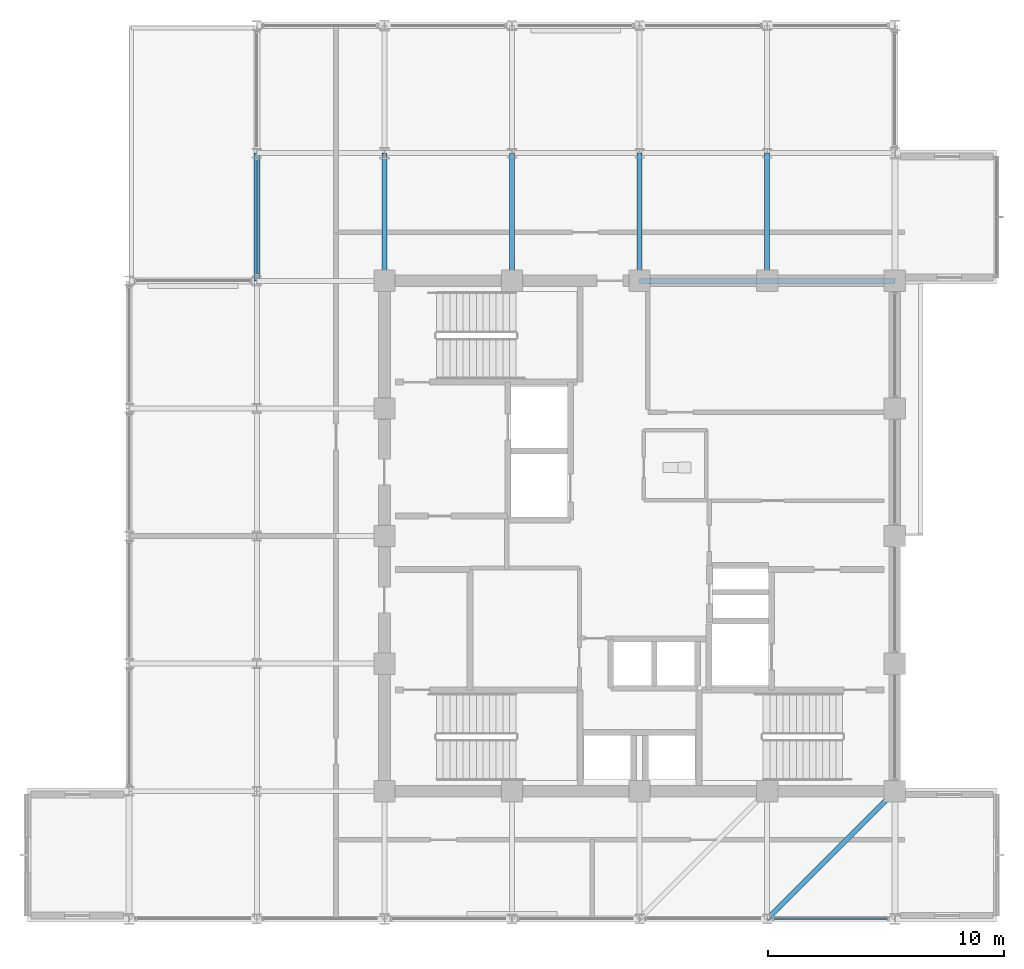
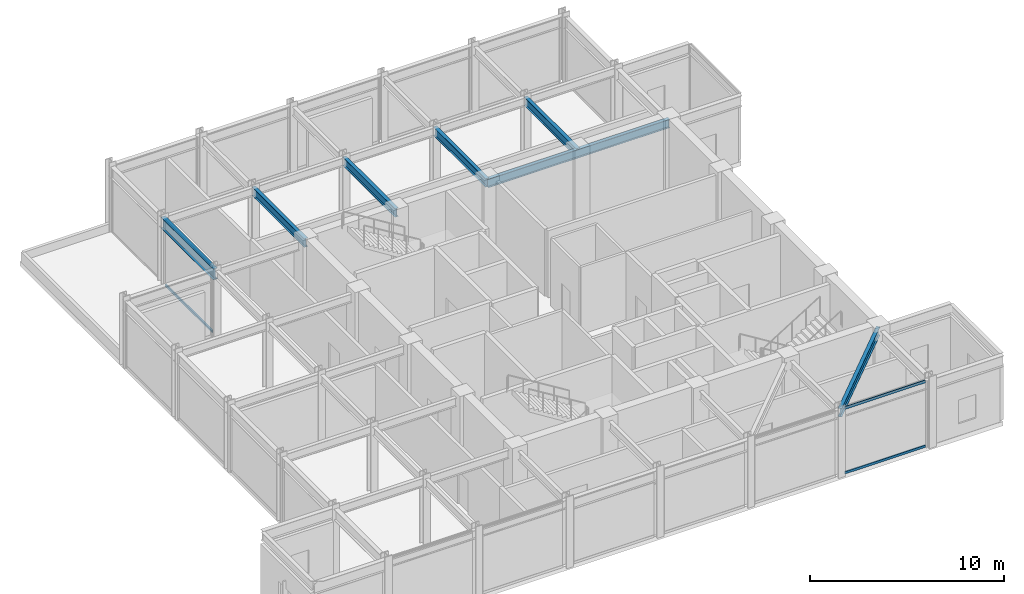
# One storey, part 7 of 22: 7 beams, 4 members, 2 elements without a shape of their own.
"""IFC4 building model written with IfcOpenShell, lengths in metres."""

from ifc_helpers import new_model, si_unit, direction, frame, origin, origin_2d, place, context, subcontext, project, spatial, hollow_rectangle, i_section, extrude, material, layer, layer_set, material_profile, profile_set, type_object, element, aggregate, save


model = new_model("IFC4")

# Units and contexts
model_context = context("Model", 3, precision=1e-05, world=origin(), true_north=direction((0.0, 1.0)))
body_context = subcontext(model_context, "Body", "Model", "MODEL_VIEW")
ifc_project = project(units=[si_unit("LENGTHUNIT", "METRE"), si_unit("AREAUNIT", "SQUARE_METRE"), si_unit("VOLUMEUNIT", "CUBIC_METRE"), si_unit("PLANEANGLEUNIT", "RADIAN"), si_unit("MASSUNIT", "GRAM", prefix="KILO")], contexts=[model_context])

# Site, building, storey
site_placement = place(None, origin())
site = spatial("IfcSite", under=ifc_project, at=site_placement, CompositionType="ELEMENT")
building_placement = place(site_placement, origin())
building = spatial("IfcBuilding", under=site, at=building_placement, Name="Surkhivell Harbour Commons", CompositionType="ELEMENT")
storey_placement = place(building_placement, frame((0.0, 0.0, 342.0)))
storey = spatial("IfcBuildingStorey", under=building, at=storey_placement, Name="L89", CompositionType="ELEMENT", Elevation=342.0)

# Beams
ifc_material_1 = material(Name="Steel S355", Category="steel")
ifc_material_profile_1 = material_profile(ifc_material_1, i_section(OverallWidth=0.2099609375, OverallDepth=0.537109375, WebThickness=0.0107421875, FlangeThickness=0.017333984375, at=origin_2d()), Name="UB533x210x101")
ifc_profile_set_1 = profile_set([ifc_material_profile_1], Name="Steel S355")
beam_type_1 = type_object("IfcBeamType", Name="BM-GRD-533B", PredefinedType="BEAM", material=ifc_profile_set_1)
beam_1_placement = place(storey_placement, frame((0.0, 10.800048828125, 3.951416015625), z_axis=(1.0, 0.0, 0.0), x_axis=(0.0, 1.0, 0.0)))
element("IfcBeam", 1, at=beam_1_placement, inside=storey, type_object=beam_type_1, Name="L89 Cantilever Back-Span Girder (0.0,10.8)", PredefinedType="BEAM", context=body_context, shape_type="SweptSolid", body=[
    extrude(i_section(OverallWidth=0.2099609375, OverallDepth=0.537109375, WebThickness=0.0107421875, FlangeThickness=0.017333984375, at=origin_2d()), origin(), (0.0, 0.0, 1.0), 10.800048828125),
])
for number, where, z_axis, x_axis, name in (
    (2, (-10.800048828125, 10.800048828125, 3.951416015625), (0.0, 1.0, 0.0), (-1.0, 0.0, 0.0), "L89 Floor Girder (-10.8,10.8)"),
    (3, (-5.39990234375, 10.800048828125, 3.951416015625), (0.0, 1.0, 0.0), (-1.0, 0.0, 0.0), "L89 Floor Girder (-5.4,10.8)"),
    (4, (0.0, 10.800048828125, 3.951416015625), (0.0, 1.0, 0.0), (-1.0, 0.0, 0.0), "L89 Floor Girder (0.0,10.8)"),
):
    element("IfcBeam", number, at=place(storey_placement, frame(where, z_axis=z_axis, x_axis=x_axis)), inside=storey, type_object=beam_type_1, Name=name, PredefinedType="BEAM", context=body_context, shape_type="SweptSolid", body=[
        extrude(i_section(OverallWidth=0.2099609375, OverallDepth=0.537109375, WebThickness=0.0107421875, FlangeThickness=0.017333984375, at=origin_2d()), origin(), (0.0, 0.0, 1.0), 5.39990234375),
    ])
beam_2_placement = place(storey_placement, frame((5.39990234375, -16.199951171875, 3.951416015625), z_axis=(0.707122765516, 0.707090796496, 0.0), x_axis=(-0.707090796496, 0.707122765516, 0.0)))
element("IfcBeam", 5, at=beam_2_placement, inside=storey, type_object=beam_type_1, Name="L89 Floor Girder (5.4,-16.2)", PredefinedType="BEAM", context=body_context, shape_type="SweptSolid", body=[
    extrude(i_section(OverallWidth=0.2099609375, OverallDepth=0.537109375, WebThickness=0.0107421875, FlangeThickness=0.017333984375, at=origin_2d()), origin(), (0.0, 0.0, 1.0), 7.63671875),
])
beam_3_placement = place(storey_placement, frame((5.39990234375, 10.800048828125, 3.951416015625), z_axis=(0.0, 1.0, 0.0), x_axis=(-1.0, 0.0, 0.0)))
element("IfcBeam", 6, at=beam_3_placement, inside=storey, type_object=beam_type_1, Name="L89 Floor Girder (5.4,10.8)", PredefinedType="BEAM", context=body_context, shape_type="SweptSolid", body=[
    extrude(i_section(OverallWidth=0.2099609375, OverallDepth=0.537109375, WebThickness=0.0107421875, FlangeThickness=0.017333984375, at=origin_2d()), origin(), (0.0, 0.0, 1.0), 5.39990234375),
])
ifc_material_profile_2 = material_profile(ifc_material_1, i_section(OverallWidth=0.256103515625, OverallDepth=0.693115234375, WebThickness=0.014404296875, FlangeThickness=0.023681640625, at=origin_2d()), Name="UB686x254x170")
ifc_profile_set_2 = profile_set([ifc_material_profile_2], Name="Steel S355")
beam_type_2 = type_object("IfcBeamType", Name="BM-SPN-686", PredefinedType="SPANDREL", material=ifc_profile_set_2)
beam_4_placement = place(storey_placement, frame((-16.199951171875, 10.800048828125, 3.87353515625), z_axis=(0.0, 1.0, 0.0), x_axis=(-1.0, 0.0, 0.0)))
element("IfcBeam", 7, at=beam_4_placement, inside=storey, type_object=beam_type_2, Name="L89 Tube Spandrel (-16.2,10.8)", PredefinedType="SPANDREL", context=body_context, shape_type="SweptSolid", body=[
    extrude(i_section(OverallWidth=0.256103515625, OverallDepth=0.693115234375, WebThickness=0.014404296875, FlangeThickness=0.023681640625, at=origin_2d()), origin(), (0.0, 0.0, 1.0), 5.39990234375),
])

# Curtain wall, members
ifc_material_2 = material(Name="Anodised pale-metal aluminium and insulated glazing", Category="aluminium")
ifc_layer = layer(ifc_material_2, 0.22998046875)
ifc_layer_set = layer_set([ifc_layer], Name="Anodised pale-metal aluminium and insulated glazing")
curtain_wall_type = type_object("IfcCurtainWallType", Name="CW-SYS-CRN", PredefinedType="NOTDEFINED", material=ifc_layer_set)
curtain_wall_1_placement = place(storey_placement, origin())
curtain_wall_1 = element("IfcCurtainWall", 8, at=curtain_wall_1_placement, inside=storey, type_object=curtain_wall_type, Name="L89 Curtain Wall CW-L89-C00S1", PredefinedType="NOTDEFINED")
ifc_material_3 = material(Name="Anodised pale-metal aluminium alloy 6063-T6", Category="aluminium")
ifc_material_profile_3 = material_profile(ifc_material_3, hollow_rectangle(XDim=0.074951171875, YDim=0.14990234375, WallThickness=0.00341796875, at=origin_2d()), Name="ALU-TRAN-75x150")
ifc_profile_set_3 = profile_set([ifc_material_profile_3], Name="Anodised pale-metal aluminium alloy 6063-T6")
member_type = type_object("IfcMemberType", Name="CWT-150", PredefinedType="USERDEFINED", material=ifc_profile_set_3)
member_1_placement = place(storey_placement, frame((-16.199951171875, 15.9130859375, 0.074951171875), z_axis=(0.0, -1.0, 0.0), x_axis=(1.0, 0.0, 0.0)))
member_1 = element("IfcMember", 9, at=member_1_placement, type_object=member_type, Name="CW-CRN transom 2.1", ObjectType="TRANSOM", PredefinedType="USERDEFINED", context=body_context, shape_type="SweptSolid", body=[
    extrude(hollow_rectangle(XDim=0.074951171875, YDim=0.14990234375, WallThickness=0.00341796875, at=origin_2d()), origin(), (0.0, 0.0, 1.0), 4.826171875),
])
member_2_placement = place(storey_placement, frame((-16.199951171875, 15.9130859375, 4.14501953125), z_axis=(0.0, -1.0, 0.0), x_axis=(1.0, 0.0, 0.0)))
member_2 = element("IfcMember", 10, at=member_2_placement, type_object=member_type, Name="CW-CRN transom 2.2", ObjectType="TRANSOM", PredefinedType="USERDEFINED", context=body_context, shape_type="SweptSolid", body=[
    extrude(hollow_rectangle(XDim=0.074951171875, YDim=0.14990234375, WallThickness=0.00341796875, at=origin_2d()), origin(), (0.0, 0.0, 1.0), 4.826171875),
])
aggregate(curtain_wall_1, [member_1, member_2])

curtain_wall_2_placement = place(storey_placement, origin())
curtain_wall_2 = element("IfcCurtainWall", 11, at=curtain_wall_2_placement, inside=storey, type_object=curtain_wall_type, Name="L89 Curtain Wall CW-L89-C03", PredefinedType="NOTDEFINED")
member_3_placement = place(storey_placement, frame((5.68701171875, -16.199951171875, 0.074951171875), z_axis=(1.0, 0.0, 0.0), x_axis=(0.0, 1.0, 0.0)))
member_3 = element("IfcMember", 12, at=member_3_placement, type_object=member_type, Name="CW-CRN transom 6.1", ObjectType="TRANSOM", PredefinedType="USERDEFINED", context=body_context, shape_type="SweptSolid", body=[
    extrude(hollow_rectangle(XDim=0.074951171875, YDim=0.14990234375, WallThickness=0.00341796875, at=origin_2d()), origin(), (0.0, 0.0, 1.0), 4.7958984375),
])
member_4_placement = place(storey_placement, frame((5.68701171875, -16.199951171875, 4.14501953125), z_axis=(1.0, 0.0, 0.0), x_axis=(0.0, 1.0, 0.0)))
member_4 = element("IfcMember", 13, at=member_4_placement, type_object=member_type, Name="CW-CRN transom 6.2", ObjectType="TRANSOM", PredefinedType="USERDEFINED", context=body_context, shape_type="SweptSolid", body=[
    extrude(hollow_rectangle(XDim=0.074951171875, YDim=0.14990234375, WallThickness=0.00341796875, at=origin_2d()), origin(), (0.0, 0.0, 1.0), 4.7958984375),
])
aggregate(curtain_wall_2, [member_3, member_4])

save(model, "model.ifc")
